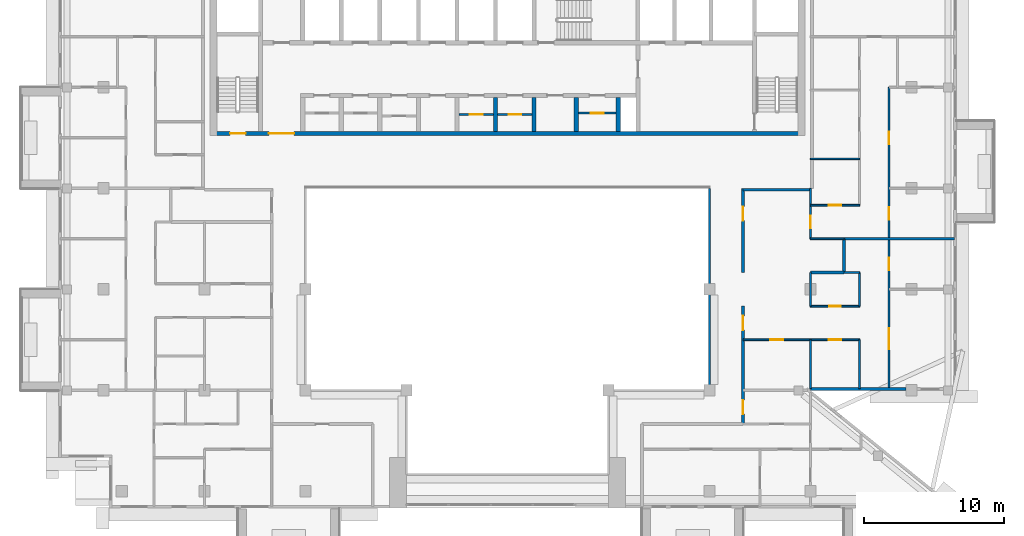
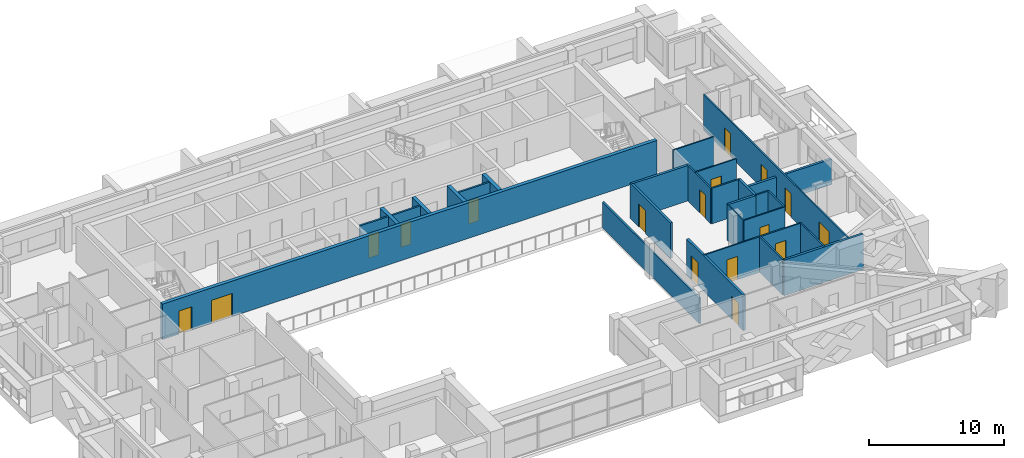
# One storey, part 9 of 19: 28 walls, 17 doors, 17 openings.
"""IFC4 building model written with IfcOpenShell, lengths in metres."""

from ifc_helpers import new_model, si_unit, direction, frame, frame_2d, origin, place, context, subcontext, project, spatial, rectangle, extrude, material, layer, layer_set, type_object, element, fill, save


model = new_model("IFC4")

# Units and contexts
model_context = context("Model", 3, precision=1e-05, world=origin(), true_north=direction((0.0, 1.0)))
body_context = subcontext(model_context, "Body", "Model", "MODEL_VIEW")
ifc_project = project(units=[si_unit("LENGTHUNIT", "METRE"), si_unit("AREAUNIT", "SQUARE_METRE"), si_unit("VOLUMEUNIT", "CUBIC_METRE"), si_unit("PLANEANGLEUNIT", "RADIAN"), si_unit("MASSUNIT", "GRAM", prefix="KILO")], contexts=[model_context])

# Site, building, storey
site_placement = place(None, origin())
site = spatial("IfcSite", under=ifc_project, at=site_placement, CompositionType="ELEMENT")
building_placement = place(site_placement, origin())
building = spatial("IfcBuilding", under=site, at=building_placement, Name="Saffron Iwan Residences", CompositionType="ELEMENT")
storey_placement = place(building_placement, frame((0.0, 0.0, 246.5)))
storey = spatial("IfcBuildingStorey", under=building, at=storey_placement, Name="L66", CompositionType="ELEMENT", Elevation=246.5)

# Wall
ifc_material_1 = material(Name="Fire-rated glazing", Category="glass")
ifc_layer_1 = layer(ifc_material_1, 0.14990234375)
ifc_layer_set_1 = layer_set([ifc_layer_1], Name="Fire-rated glazing")
wall_type_1 = type_object("IfcWallType", Name="Atrium glazed screen 150", PredefinedType="SOLIDWALL", material=ifc_layer_set_1)
wall_1_placement = place(storey_placement, frame((64.800048828125, 48.0, 0.0), z_axis=(0.0, 0.0, 1.0), x_axis=(0.0, 1.0, 0.0)))
element("IfcWall", 1, at=wall_1_placement, inside=storey, type_object=wall_type_1, Name="W-L66-SCREEN-v64.8-48", PredefinedType="SOLIDWALL", context=body_context, shape_type="SweptSolid", body=[
    extrude(rectangle(XDim=14.39990234375, YDim=0.14990234375, at=frame_2d((7.199951171875, 0.0))), origin(), (0.0, 0.0, 1.0), 2.320068359375),
])

# Wall, opening, door
ifc_material_2 = material(Name="Fire-rated plasterboard partition")
ifc_layer_2 = layer(ifc_material_2, 0.14990234375)
ifc_layer_set_2 = layer_set([ifc_layer_2], Name="Fire-rated plasterboard partition")
wall_type_2 = type_object("IfcWallType", Name="Core partition 150", PredefinedType="PARTITIONING", material=ifc_layer_set_2)
wall_2_placement = place(storey_placement, frame((46.949951171875, 67.66259765625, 0.0), z_axis=(0.0, 0.0, 1.0), x_axis=(1.0, 0.0, 0.0)))
wall_2 = element("IfcWall", 2, at=wall_2_placement, inside=storey, type_object=wall_type_2, Name="Core partition P04", PredefinedType="PARTITIONING", context=body_context, shape_type="SweptSolid", body=[
    extrude(rectangle(XDim=2.449951171875, YDim=0.14990234375, at=frame_2d((1.22509765625, 0.0))), origin(), (0.0, 0.0, 1.0), 3.219970703125),
])
opening_1_placement = place(wall_2_placement, frame((0.77490234375, 0.0, 0.0)))
opening_1 = element("IfcOpeningElement", 3, at=opening_1_placement, cuts=wall_2, Name="Opening SB", PredefinedType="OPENING", context=body_context, shape_type="SweptSolid", body=[
    extrude(rectangle(XDim=0.89990234375, YDim=2.10009765625, at=frame_2d((0.449951171875, 1.050048828125))), frame((0.0, 0.0849609375, 0.0), z_axis=(0.0, -1.0, 0.0), x_axis=(1.0, 0.0, 0.0)), (0.0, 0.0, 1.0), 0.169921875),
])
ifc_material_3 = material(Name="Steel fire door", Category="steel")
door_type_1 = type_object("IfcDoorType", Name="Store door 900", OperationType="NOTDEFINED", PredefinedType="DOOR", material=ifc_material_3)
door_1_placement = place(opening_1_placement, origin())
door_1 = element("IfcDoor", 4, at=door_1_placement, inside=storey, type_object=door_type_1, Name="Door Spares store", OperationType="SINGLE_SWING_RIGHT", OverallHeight=2.10009765625, OverallWidth=0.89990234375, PredefinedType="DOOR", context=body_context, shape_type="SweptSolid", body=[
    extrude(rectangle(XDim=0.89990234375, YDim=2.10009765625, at=frame_2d((0.449951171875, 1.050048828125))), frame((0.0, 0.02490234375, 0.0), z_axis=(0.0, -1.0, 0.0), x_axis=(1.0, 0.0, 0.0)), (0.0, 0.0, 1.0), 0.050048828125),
])
fill(opening_1, door_1)

wall_3_placement = place(storey_placement, frame((49.699951171875, 67.66259765625, 0.0), z_axis=(0.0, 0.0, 1.0), x_axis=(1.0, 0.0, 0.0)))
wall_3 = element("IfcWall", 5, at=wall_3_placement, inside=storey, type_object=wall_type_2, Name="Core partition P05", PredefinedType="PARTITIONING", context=body_context, shape_type="SweptSolid", body=[
    extrude(rectangle(XDim=2.449951171875, YDim=0.14990234375, at=frame_2d((1.22509765625, 0.0))), origin(), (0.0, 0.0, 1.0), 3.219970703125),
])
opening_2_placement = place(wall_3_placement, frame((0.77490234375, 0.0, 0.0)))
opening_2 = element("IfcOpeningElement", 6, at=opening_2_placement, cuts=wall_3, Name="Opening SB", PredefinedType="OPENING", context=body_context, shape_type="SweptSolid", body=[
    extrude(rectangle(XDim=0.89990234375, YDim=2.10009765625, at=frame_2d((0.449951171875, 1.050048828125))), frame((0.0, 0.0849609375, 0.0), z_axis=(0.0, -1.0, 0.0), x_axis=(1.0, 0.0, 0.0)), (0.0, 0.0, 1.0), 0.169921875),
])
door_2_placement = place(opening_2_placement, origin())
door_2 = element("IfcDoor", 7, at=door_2_placement, inside=storey, type_object=door_type_1, Name="Door Battery room", OperationType="SINGLE_SWING_LEFT", OverallHeight=2.10009765625, OverallWidth=0.89990234375, PredefinedType="DOOR", context=body_context, shape_type="SweptSolid", body=[
    extrude(rectangle(XDim=0.89990234375, YDim=2.10009765625, at=frame_2d((0.449951171875, 1.050048828125))), frame((0.0, 0.02490234375, 0.0), z_axis=(0.0, -1.0, 0.0), x_axis=(1.0, 0.0, 0.0)), (0.0, 0.0, 1.0), 0.050048828125),
])
fill(opening_2, door_2)

wall_4_placement = place(storey_placement, frame((55.449951171875, 67.759521484375, 0.0), z_axis=(0.0, 0.0, 1.0), x_axis=(1.0, 0.0, 0.0)))
wall_4 = element("IfcWall", 8, at=wall_4_placement, inside=storey, type_object=wall_type_2, Name="Core partition P06", PredefinedType="PARTITIONING", context=body_context, shape_type="SweptSolid", body=[
    extrude(rectangle(XDim=2.699951171875, YDim=0.14990234375, at=frame_2d((1.35009765625, 0.0))), origin(), (0.0, 0.0, 1.0), 3.219970703125),
])
opening_3_placement = place(wall_4_placement, frame((0.89990234375, 0.0, 0.0)))
opening_3 = element("IfcOpeningElement", 9, at=opening_3_placement, cuts=wall_4, Name="Opening SB", PredefinedType="OPENING", context=body_context, shape_type="SweptSolid", body=[
    extrude(rectangle(XDim=0.89990234375, YDim=2.10009765625, at=frame_2d((0.449951171875, 1.050048828125))), frame((0.0, 0.0849609375, 0.0), z_axis=(0.0, -1.0, 0.0), x_axis=(1.0, 0.0, 0.0)), (0.0, 0.0, 1.0), 0.169921875),
])
door_3_placement = place(opening_3_placement, origin())
door_3 = element("IfcDoor", 10, at=door_3_placement, inside=storey, type_object=door_type_1, Name="Door Equipment store", OperationType="SINGLE_SWING_LEFT", OverallHeight=2.10009765625, OverallWidth=0.89990234375, PredefinedType="DOOR", context=body_context, shape_type="SweptSolid", body=[
    extrude(rectangle(XDim=0.89990234375, YDim=2.10009765625, at=frame_2d((0.449951171875, 1.050048828125))), frame((0.0, 0.02490234375, 0.0), z_axis=(0.0, -1.0, 0.0), x_axis=(1.0, 0.0, 0.0)), (0.0, 0.0, 1.0), 0.050048828125),
])
fill(opening_3, door_3)

# Walls
ifc_material_4 = material(Name="Concrete C40/50", Category="concrete")
ifc_layer_3 = layer(ifc_material_4, 0.199951171875)
ifc_layer_set_3 = layer_set([ifc_layer_3], Name="Concrete C40/50")
wall_type_3 = type_object("IfcWallType", Name="EXTERNAL WALL 200", PredefinedType="SOLIDWALL", material=ifc_layer_set_3)
wall_5_placement = place(storey_placement, frame((71.987060546875, 48.10009765625, 0.0), z_axis=(0.0, 0.0, 1.0), x_axis=(1.0, 0.0, 0.0)))
element("IfcWall", 11, at=wall_5_placement, inside=storey, type_object=wall_type_3, Name="External wall L66 F1.0", PredefinedType="SOLIDWALL", context=body_context, shape_type="SweptSolid", body=[
    extrude(rectangle(XDim=6.81298828125, YDim=0.199951171875, at=frame_2d((3.406494140625, 0.0))), origin(), (0.0, 0.0, 1.0), 3.219970703125),
])
ifc_material_5 = material(Name="Fire-rated gypsum board wall")
ifc_layer_4 = layer(ifc_material_5, 0.199951171875)
ifc_layer_set_4 = layer_set([ifc_layer_4], Name="Fire-rated gypsum board wall")
wall_type_4 = type_object("IfcWallType", Name="Flat demising wall 200", PredefinedType="SOLIDWALL", material=ifc_layer_set_4)
wall_6_placement = place(storey_placement, frame((72.0, 56.39990234375, 0.0), z_axis=(0.0, 0.0, 1.0), x_axis=(1.0, 0.0, 0.0)))
element("IfcWall", 12, at=wall_6_placement, inside=storey, type_object=wall_type_4, Name="W-L66-DEMISE-h56.4-72", PredefinedType="SOLIDWALL", context=body_context, shape_type="SweptSolid", body=[
    extrude(rectangle(XDim=2.39990234375, YDim=0.199951171875, at=frame_2d((1.199951171875, 0.0))), origin(), (0.0, 0.0, 1.0), 3.219970703125),
])
wall_7_placement = place(storey_placement, frame((74.39990234375, 58.800048828125, 0.0), z_axis=(0.0, 0.0, 1.0), x_axis=(1.0, 0.0, 0.0)))
element("IfcWall", 13, at=wall_7_placement, inside=storey, type_object=wall_type_4, Name="W-L66-DEMISE-h58.8-74.4", PredefinedType="SOLIDWALL", context=body_context, shape_type="SweptSolid", body=[
    extrude(rectangle(XDim=7.875, YDim=0.199951171875, at=frame_2d((3.9375, 0.0))), origin(), (0.0, 0.0, 1.0), 2.320068359375),
])
wall_8_placement = place(storey_placement, frame((74.39990234375, 56.39990234375, 0.0), z_axis=(0.0, 0.0, 1.0), x_axis=(0.0, 1.0, 0.0)))
element("IfcWall", 14, at=wall_8_placement, inside=storey, type_object=wall_type_4, Name="W-L66-DEMISE-v74.4-56.4", PredefinedType="SOLIDWALL", context=body_context, shape_type="SweptSolid", body=[
    extrude(rectangle(XDim=2.400146484375, YDim=0.199951171875, at=frame_2d((1.2001953125, 0.0))), origin(), (0.0, 0.0, 1.0), 3.219970703125),
])

# Wall, openings, doors
ifc_material_6 = material(Name="Gypsum board partition")
ifc_layer_5 = layer(ifc_material_6, 0.1201171875)
ifc_layer_set_5 = layer_set([ifc_layer_5], Name="Gypsum board partition")
wall_type_5 = type_object("IfcWallType", Name="Flat partition 120", PredefinedType="PARTITIONING", material=ifc_layer_set_5)
wall_9_placement = place(storey_placement, frame((67.199951171875, 51.60009765625, 0.0), z_axis=(0.0, 0.0, 1.0), x_axis=(1.0, 0.0, 0.0)))
wall_9 = element("IfcWall", 15, at=wall_9_placement, inside=storey, type_object=wall_type_5, Name="W-L66-PART-h51.6-67.2", PredefinedType="PARTITIONING", context=body_context, shape_type="SweptSolid", body=[
    extrude(rectangle(XDim=8.300048828125, YDim=0.1201171875, at=frame_2d((4.14990234375, 0.0))), origin(), (0.0, 0.0, 1.0), 3.219970703125),
])
opening_4_placement = place(wall_9_placement, frame((6.10009765625, 0.0, 0.0)))
opening_4 = element("IfcOpeningElement", 16, at=opening_4_placement, cuts=wall_9, Name="Opening FD2", PredefinedType="OPENING", context=body_context, shape_type="SweptSolid", body=[
    extrude(rectangle(XDim=0.89990234375, YDim=2.10009765625, at=frame_2d((0.449951171875, 1.050048828125))), frame((0.0, 0.070068359375, 0.0), z_axis=(0.0, -1.0, 0.0), x_axis=(1.0, 0.0, 0.0)), (0.0, 0.0, 1.0), 0.14013671875),
])
opening_5_placement = place(wall_9_placement, frame((1.949951171875, 0.0, 0.0)))
opening_5 = element("IfcOpeningElement", 17, at=opening_5_placement, cuts=wall_9, Name="Opening FD2", PredefinedType="OPENING", context=body_context, shape_type="SweptSolid", body=[
    extrude(rectangle(XDim=0.89990234375, YDim=2.10009765625, at=frame_2d((0.449951171875, 1.050048828125))), frame((0.0, 0.070068359375, 0.0), z_axis=(0.0, -1.0, 0.0), x_axis=(1.0, 0.0, 0.0)), (0.0, 0.0, 1.0), 0.14013671875),
])
ifc_material_7 = material(Name="Timber door", Category="wood")
door_type_2 = type_object("IfcDoorType", Name="Flat door 900", OperationType="NOTDEFINED", PredefinedType="DOOR", material=ifc_material_7)
door_4_placement = place(opening_4_placement, origin())
door_4 = element("IfcDoor", 18, at=door_4_placement, inside=storey, type_object=door_type_2, Name="Door L66-020", OperationType="SINGLE_SWING_LEFT", OverallHeight=2.10009765625, OverallWidth=0.89990234375, PredefinedType="DOOR", context=body_context, shape_type="SweptSolid", body=[
    extrude(rectangle(XDim=0.89990234375, YDim=2.10009765625, at=frame_2d((0.449951171875, 1.050048828125))), frame((0.0, 0.02490234375, 0.0), z_axis=(0.0, -1.0, 0.0), x_axis=(1.0, 0.0, 0.0)), (0.0, 0.0, 1.0), 0.050048828125),
])
fill(opening_4, door_4)
door_5_placement = place(opening_5_placement, origin())
door_5 = element("IfcDoor", 19, at=door_5_placement, inside=storey, type_object=door_type_2, Name="Door L66-022", OperationType="SINGLE_SWING_RIGHT", OverallHeight=2.10009765625, OverallWidth=0.89990234375, PredefinedType="DOOR", context=body_context, shape_type="SweptSolid", body=[
    extrude(rectangle(XDim=0.89990234375, YDim=2.10009765625, at=frame_2d((0.449951171875, 1.050048828125))), frame((0.0, 0.02490234375, 0.0), z_axis=(0.0, -1.0, 0.0), x_axis=(1.0, 0.0, 0.0)), (0.0, 0.0, 1.0), 0.050048828125),
])
fill(opening_5, door_5)

# Wall, opening, door
wall_10_placement = place(storey_placement, frame((72.0, 54.0, 0.0), z_axis=(0.0, 0.0, 1.0), x_axis=(1.0, 0.0, 0.0)))
wall_10 = element("IfcWall", 20, at=wall_10_placement, inside=storey, type_object=wall_type_5, Name="W-L66-PART-h54-72", PredefinedType="PARTITIONING", context=body_context, shape_type="SweptSolid", body=[
    extrude(rectangle(XDim=3.5, YDim=0.1201171875, at=frame_2d((1.75, 0.0))), origin(), (0.0, 0.0, 1.0), 3.219970703125),
])
opening_6_placement = place(wall_10_placement, frame((1.35009765625, 0.0, 0.0)))
opening_6 = element("IfcOpeningElement", 21, at=opening_6_placement, cuts=wall_10, Name="Opening FD3", PredefinedType="OPENING", context=body_context, shape_type="SweptSolid", body=[
    extrude(rectangle(XDim=0.800048828125, YDim=2.10009765625, at=frame_2d((0.39990234375, 1.050048828125))), frame((0.0, 0.070068359375, 0.0), z_axis=(0.0, -1.0, 0.0), x_axis=(1.0, 0.0, 0.0)), (0.0, 0.0, 1.0), 0.14013671875),
])
door_type_3 = type_object("IfcDoorType", Name="Bathroom door 800", OperationType="NOTDEFINED", PredefinedType="DOOR", material=ifc_material_7)
door_6_placement = place(opening_6_placement, origin())
door_6 = element("IfcDoor", 22, at=door_6_placement, inside=storey, type_object=door_type_3, Name="Door L66-021", OperationType="SINGLE_SWING_LEFT", OverallHeight=2.10009765625, OverallWidth=0.800048828125, PredefinedType="DOOR", context=body_context, shape_type="SweptSolid", body=[
    extrude(rectangle(XDim=0.800048828125, YDim=2.10009765625, at=frame_2d((0.39990234375, 1.050048828125))), frame((0.0, 0.02490234375, 0.0), z_axis=(0.0, -1.0, 0.0), x_axis=(1.0, 0.0, 0.0)), (0.0, 0.0, 1.0), 0.050048828125),
])
fill(opening_6, door_6)

# Walls
wall_11_placement = place(storey_placement, frame((74.39990234375, 56.39990234375, 0.0), z_axis=(0.0, 0.0, 1.0), x_axis=(1.0, 0.0, 0.0)))
element("IfcWall", 23, at=wall_11_placement, inside=storey, type_object=wall_type_5, Name="W-L66-PART-h56.4-74.4", PredefinedType="PARTITIONING", context=body_context, shape_type="SweptSolid", body=[
    extrude(rectangle(XDim=1.10009765625, YDim=0.1201171875, at=frame_2d((0.550048828125, 0.0))), origin(), (0.0, 0.0, 1.0), 3.219970703125),
])
wall_12_placement = place(storey_placement, frame((72.0, 58.800048828125, 0.0), z_axis=(0.0, 0.0, 1.0), x_axis=(1.0, 0.0, 0.0)))
element("IfcWall", 24, at=wall_12_placement, inside=storey, type_object=wall_type_5, Name="W-L66-PART-h58.8-72", PredefinedType="PARTITIONING", context=body_context, shape_type="SweptSolid", body=[
    extrude(rectangle(XDim=2.39990234375, YDim=0.1201171875, at=frame_2d((1.199951171875, 0.0))), origin(), (0.0, 0.0, 1.0), 3.219970703125),
])

# Wall, opening, door
wall_13_placement = place(storey_placement, frame((72.0, 61.199951171875, 0.0), z_axis=(0.0, 0.0, 1.0), x_axis=(1.0, 0.0, 0.0)))
wall_13 = element("IfcWall", 25, at=wall_13_placement, inside=storey, type_object=wall_type_5, Name="W-L66-PART-h61.2-72", PredefinedType="PARTITIONING", context=body_context, shape_type="SweptSolid", body=[
    extrude(rectangle(XDim=3.5, YDim=0.1201171875, at=frame_2d((1.75, 0.0))), origin(), (0.0, 0.0, 1.0), 3.219970703125),
])
opening_7_placement = place(wall_13_placement, frame((1.300048828125, 0.0, 0.0)))
opening_7 = element("IfcOpeningElement", 26, at=opening_7_placement, cuts=wall_13, Name="Opening FD2", PredefinedType="OPENING", context=body_context, shape_type="SweptSolid", body=[
    extrude(rectangle(XDim=0.89990234375, YDim=2.10009765625, at=frame_2d((0.449951171875, 1.050048828125))), frame((0.0, 0.070068359375, 0.0), z_axis=(0.0, -1.0, 0.0), x_axis=(1.0, 0.0, 0.0)), (0.0, 0.0, 1.0), 0.14013671875),
])
door_7_placement = place(opening_7_placement, origin())
door_7 = element("IfcDoor", 27, at=door_7_placement, inside=storey, type_object=door_type_2, Name="Door L66-037", OperationType="SINGLE_SWING_RIGHT", OverallHeight=2.10009765625, OverallWidth=0.89990234375, PredefinedType="DOOR", context=body_context, shape_type="SweptSolid", body=[
    extrude(rectangle(XDim=0.89990234375, YDim=2.10009765625, at=frame_2d((0.449951171875, 1.050048828125))), frame((0.0, 0.02490234375, 0.0), z_axis=(0.0, -1.0, 0.0), x_axis=(1.0, 0.0, 0.0)), (0.0, 0.0, 1.0), 0.050048828125),
])
fill(opening_7, door_7)

# Walls
wall_14_placement = place(storey_placement, frame((72.0, 64.5, 0.0), z_axis=(0.0, 0.0, 1.0), x_axis=(1.0, 0.0, 0.0)))
element("IfcWall", 28, at=wall_14_placement, inside=storey, type_object=wall_type_5, Name="W-L66-PART-h64.5-72", PredefinedType="PARTITIONING", context=body_context, shape_type="SweptSolid", body=[
    extrude(rectangle(XDim=3.5, YDim=0.1201171875, at=frame_2d((1.75, 0.0))), origin(), (0.0, 0.0, 1.0), 3.219970703125),
])
wall_15_placement = place(storey_placement, frame((72.0, 48.125, 0.0), z_axis=(0.0, 0.0, 1.0), x_axis=(0.0, 1.0, 0.0)))
element("IfcWall", 29, at=wall_15_placement, inside=storey, type_object=wall_type_5, Name="W-L66-PART-v72-48.125", PredefinedType="PARTITIONING", context=body_context, shape_type="SweptSolid", body=[
    extrude(rectangle(XDim=3.47509765625, YDim=0.1201171875, at=frame_2d((1.737548828125, 0.0))), origin(), (0.0, 0.0, 1.0), 3.219970703125),
])
wall_16_placement = place(storey_placement, frame((72.0, 54.0, 0.0), z_axis=(0.0, 0.0, 1.0), x_axis=(0.0, 1.0, 0.0)))
element("IfcWall", 30, at=wall_16_placement, inside=storey, type_object=wall_type_5, Name="W-L66-PART-v72-54", PredefinedType="PARTITIONING", context=body_context, shape_type="SweptSolid", body=[
    extrude(rectangle(XDim=2.39990234375, YDim=0.1201171875, at=frame_2d((1.199951171875, 0.0))), origin(), (0.0, 0.0, 1.0), 3.219970703125),
])

# Wall, opening, door
wall_17_placement = place(storey_placement, frame((72.0, 58.800048828125, 0.0), z_axis=(0.0, 0.0, 1.0), x_axis=(0.0, 1.0, 0.0)))
wall_17 = element("IfcWall", 31, at=wall_17_placement, inside=storey, type_object=wall_type_5, Name="W-L66-PART-v72-58.8", PredefinedType="PARTITIONING", context=body_context, shape_type="SweptSolid", body=[
    extrude(rectangle(XDim=3.599853515625, YDim=0.1201171875, at=frame_2d((1.7998046875, 0.0))), origin(), (0.0, 0.0, 1.0), 3.219970703125),
])
opening_8_placement = place(wall_17_placement, frame((0.75, 0.0, 0.0)))
opening_8 = element("IfcOpeningElement", 32, at=opening_8_placement, cuts=wall_17, Name="Opening FD2", PredefinedType="OPENING", context=body_context, shape_type="SweptSolid", body=[
    extrude(rectangle(XDim=0.89990234375, YDim=2.10009765625, at=frame_2d((0.449951171875, 1.050048828125))), frame((0.0, 0.070068359375, 0.0), z_axis=(0.0, -1.0, 0.0), x_axis=(1.0, 0.0, 0.0)), (0.0, 0.0, 1.0), 0.14013671875),
])
door_8_placement = place(opening_8_placement, origin())
door_8 = element("IfcDoor", 33, at=door_8_placement, inside=storey, type_object=door_type_2, Name="Door L66-031", OperationType="SINGLE_SWING_RIGHT", OverallHeight=2.10009765625, OverallWidth=0.89990234375, PredefinedType="DOOR", context=body_context, shape_type="SweptSolid", body=[
    extrude(rectangle(XDim=0.89990234375, YDim=2.10009765625, at=frame_2d((0.449951171875, 1.050048828125))), frame((0.0, 0.02490234375, 0.0), z_axis=(0.0, -1.0, 0.0), x_axis=(1.0, 0.0, 0.0)), (0.0, 0.0, 1.0), 0.050048828125),
])
fill(opening_8, door_8)

# Walls
wall_18_placement = place(storey_placement, frame((75.5, 48.125, 0.0), z_axis=(0.0, 0.0, 1.0), x_axis=(0.0, 1.0, 0.0)))
element("IfcWall", 34, at=wall_18_placement, inside=storey, type_object=wall_type_5, Name="W-L66-PART-v75.5-48.125", PredefinedType="PARTITIONING", context=body_context, shape_type="SweptSolid", body=[
    extrude(rectangle(XDim=3.47509765625, YDim=0.1201171875, at=frame_2d((1.737548828125, 0.0))), origin(), (0.0, 0.0, 1.0), 3.219970703125),
])
wall_19_placement = place(storey_placement, frame((75.5, 54.0, 0.0), z_axis=(0.0, 0.0, 1.0), x_axis=(0.0, 1.0, 0.0)))
element("IfcWall", 35, at=wall_19_placement, inside=storey, type_object=wall_type_5, Name="W-L66-PART-v75.5-54", PredefinedType="PARTITIONING", context=body_context, shape_type="SweptSolid", body=[
    extrude(rectangle(XDim=2.39990234375, YDim=0.1201171875, at=frame_2d((1.199951171875, 0.0))), origin(), (0.0, 0.0, 1.0), 3.219970703125),
])

# Wall, openings, doors
wall_20_placement = place(storey_placement, frame((77.60009765625, 48.125, 0.0), z_axis=(0.0, 0.0, 1.0), x_axis=(0.0, 1.0, 0.0)))
wall_20 = element("IfcWall", 36, at=wall_20_placement, inside=storey, type_object=wall_type_5, Name="W-L66-PART-v77.6-48.125", PredefinedType="PARTITIONING", context=body_context, shape_type="SweptSolid", body=[
    extrude(rectangle(XDim=21.47509765625, YDim=0.1201171875, at=frame_2d((10.737548828125, 0.0))), origin(), (0.0, 0.0, 1.0), 3.219970703125),
])
opening_9_placement = place(wall_20_placement, frame((2.78759765625, 0.0, 0.0)))
opening_9 = element("IfcOpeningElement", 37, at=opening_9_placement, cuts=wall_20, Name="Opening FD4", PredefinedType="OPENING", context=body_context, shape_type="SweptSolid", body=[
    extrude(rectangle(XDim=1.5, YDim=2.10009765625, at=frame_2d((0.75, 1.050048828125))), frame((0.0, 0.070068359375, 0.0), z_axis=(0.0, -1.0, 0.0), x_axis=(1.0, 0.0, 0.0)), (0.0, 0.0, 1.0), 0.14013671875),
])
opening_10_placement = place(wall_20_placement, frame((8.425048828125, 0.0, 0.0)))
opening_10 = element("IfcOpeningElement", 38, at=opening_10_placement, cuts=wall_20, Name="Opening FD2", PredefinedType="OPENING", context=body_context, shape_type="SweptSolid", body=[
    extrude(rectangle(XDim=0.89990234375, YDim=2.10009765625, at=frame_2d((0.449951171875, 1.050048828125))), frame((0.0, 0.070068359375, 0.0), z_axis=(0.0, -1.0, 0.0), x_axis=(1.0, 0.0, 0.0)), (0.0, 0.0, 1.0), 0.14013671875),
])
opening_11_placement = place(wall_20_placement, frame((12.02490234375, 0.0, 0.0)))
opening_11 = element("IfcOpeningElement", 39, at=opening_11_placement, cuts=wall_20, Name="Opening FD2", PredefinedType="OPENING", context=body_context, shape_type="SweptSolid", body=[
    extrude(rectangle(XDim=0.89990234375, YDim=2.10009765625, at=frame_2d((0.449951171875, 1.050048828125))), frame((0.0, 0.070068359375, 0.0), z_axis=(0.0, -1.0, 0.0), x_axis=(1.0, 0.0, 0.0)), (0.0, 0.0, 1.0), 0.14013671875),
])
opening_12_placement = place(wall_20_placement, frame((17.425048828125, 0.0, 0.0)))
opening_12 = element("IfcOpeningElement", 40, at=opening_12_placement, cuts=wall_20, Name="Opening FD2", PredefinedType="OPENING", context=body_context, shape_type="SweptSolid", body=[
    extrude(rectangle(XDim=0.89990234375, YDim=2.10009765625, at=frame_2d((0.449951171875, 1.050048828125))), frame((0.0, 0.070068359375, 0.0), z_axis=(0.0, -1.0, 0.0), x_axis=(1.0, 0.0, 0.0)), (0.0, 0.0, 1.0), 0.14013671875),
])
door_type_4 = type_object("IfcDoorType", Name="Double door 1500", OperationType="NOTDEFINED", PredefinedType="DOOR", material=ifc_material_7)
door_9_placement = place(opening_9_placement, origin())
door_9 = element("IfcDoor", 41, at=door_9_placement, inside=storey, type_object=door_type_4, Name="Door L66-018", OperationType="SINGLE_SWING_LEFT", OverallHeight=2.10009765625, OverallWidth=1.5, PredefinedType="DOOR", context=body_context, shape_type="SweptSolid", body=[
    extrude(rectangle(XDim=1.5, YDim=2.10009765625, at=frame_2d((0.75, 1.050048828125))), frame((0.0, 0.02490234375, 0.0), z_axis=(0.0, -1.0, 0.0), x_axis=(1.0, 0.0, 0.0)), (0.0, 0.0, 1.0), 0.050048828125),
])
fill(opening_9, door_9)
door_10_placement = place(opening_10_placement, origin())
door_10 = element("IfcDoor", 42, at=door_10_placement, inside=storey, type_object=door_type_2, Name="Door L66-019", OperationType="SINGLE_SWING_RIGHT", OverallHeight=2.10009765625, OverallWidth=0.89990234375, PredefinedType="DOOR", context=body_context, shape_type="SweptSolid", body=[
    extrude(rectangle(XDim=0.89990234375, YDim=2.10009765625, at=frame_2d((0.449951171875, 1.050048828125))), frame((0.0, 0.02490234375, 0.0), z_axis=(0.0, -1.0, 0.0), x_axis=(1.0, 0.0, 0.0)), (0.0, 0.0, 1.0), 0.050048828125),
])
fill(opening_10, door_10)
door_11_placement = place(opening_11_placement, origin())
door_11 = element("IfcDoor", 43, at=door_11_placement, inside=storey, type_object=door_type_2, Name="Door L66-033", OperationType="SINGLE_SWING_LEFT", OverallHeight=2.10009765625, OverallWidth=0.89990234375, PredefinedType="DOOR", context=body_context, shape_type="SweptSolid", body=[
    extrude(rectangle(XDim=0.89990234375, YDim=2.10009765625, at=frame_2d((0.449951171875, 1.050048828125))), frame((0.0, 0.02490234375, 0.0), z_axis=(0.0, -1.0, 0.0), x_axis=(1.0, 0.0, 0.0)), (0.0, 0.0, 1.0), 0.050048828125),
])
fill(opening_11, door_11)
door_12_placement = place(opening_12_placement, origin())
door_12 = element("IfcDoor", 44, at=door_12_placement, inside=storey, type_object=door_type_2, Name="Door L66-034", OperationType="SINGLE_SWING_RIGHT", OverallHeight=2.10009765625, OverallWidth=0.89990234375, PredefinedType="DOOR", context=body_context, shape_type="SweptSolid", body=[
    extrude(rectangle(XDim=0.89990234375, YDim=2.10009765625, at=frame_2d((0.449951171875, 1.050048828125))), frame((0.0, 0.02490234375, 0.0), z_axis=(0.0, -1.0, 0.0), x_axis=(1.0, 0.0, 0.0)), (0.0, 0.0, 1.0), 0.050048828125),
])
fill(opening_12, door_12)

# Wall
ifc_layer_6 = layer(ifc_material_5, 0.199951171875)
ifc_layer_set_6 = layer_set([ifc_layer_6], Name="Fire-rated gypsum board wall")
wall_type_6 = type_object("IfcWallType", Name="Gallery wall 200", PredefinedType="SOLIDWALL", material=ifc_layer_set_6)
wall_21_placement = place(storey_placement, frame((67.199951171875, 62.300048828125, 0.0), z_axis=(0.0, 0.0, 1.0), x_axis=(1.0, 0.0, 0.0)))
element("IfcWall", 45, at=wall_21_placement, inside=storey, type_object=wall_type_6, Name="W-L66-CORR-h62.4-67.2", PredefinedType="SOLIDWALL", context=body_context, shape_type="SweptSolid", body=[
    extrude(rectangle(XDim=4.800048828125, YDim=0.199951171875, at=frame_2d((2.39990234375, 0.0))), origin(), (0.0, 0.0, 1.0), 3.219970703125),
])

# Wall, openings, doors
wall_22_placement = place(storey_placement, frame((67.199951171875, 45.60009765625, 0.0), z_axis=(0.0, 0.0, 1.0), x_axis=(0.0, 1.0, 0.0)))
wall_22 = element("IfcWall", 46, at=wall_22_placement, inside=storey, type_object=wall_type_6, Name="W-L66-CORR-v67.2-45.6", PredefinedType="SOLIDWALL", context=body_context, shape_type="SweptSolid", body=[
    extrude(rectangle(XDim=8.39990234375, YDim=0.199951171875, at=frame_2d((4.199951171875, 0.0))), origin(), (0.0, 0.0, 1.0), 3.219970703125),
])
opening_13_placement = place(wall_22_placement, frame((6.699951171875, 0.0, 0.0)))
opening_13 = element("IfcOpeningElement", 47, at=opening_13_placement, cuts=wall_22, Name="Opening FD1", PredefinedType="OPENING", context=body_context, shape_type="SweptSolid", body=[
    extrude(rectangle(XDim=1.0, YDim=2.10009765625, at=frame_2d((0.5, 1.050048828125))), frame((0.0, 0.10986328125, 0.0), z_axis=(0.0, -1.0, 0.0), x_axis=(1.0, 0.0, 0.0)), (0.0, 0.0, 1.0), 0.219970703125),
])
opening_14_placement = place(wall_22_placement, frame((0.699951171875, 0.0, 0.0)))
opening_14 = element("IfcOpeningElement", 48, at=opening_14_placement, cuts=wall_22, Name="Opening FD5", PredefinedType="OPENING", context=body_context, shape_type="SweptSolid", body=[
    extrude(rectangle(XDim=1.0, YDim=2.10009765625, at=frame_2d((0.5, 1.050048828125))), frame((0.0, 0.10986328125, 0.0), z_axis=(0.0, -1.0, 0.0), x_axis=(1.0, 0.0, 0.0)), (0.0, 0.0, 1.0), 0.219970703125),
])
ifc_material_8 = material(Name="Fire-rated timber door", Category="wood")
door_type_5 = type_object("IfcDoorType", Name="FD30S flat entrance door 1000", OperationType="NOTDEFINED", PredefinedType="DOOR", material=ifc_material_8)
door_13_placement = place(opening_13_placement, origin())
door_13 = element("IfcDoor", 49, at=door_13_placement, inside=storey, type_object=door_type_5, Name="Door L66-017", OperationType="SINGLE_SWING_LEFT", OverallHeight=2.10009765625, OverallWidth=1.0, PredefinedType="DOOR", context=body_context, shape_type="SweptSolid", body=[
    extrude(rectangle(XDim=1.0, YDim=2.10009765625, at=frame_2d((0.5, 1.050048828125))), frame((0.0, 0.02490234375, 0.0), z_axis=(0.0, -1.0, 0.0), x_axis=(1.0, 0.0, 0.0)), (0.0, 0.0, 1.0), 0.050048828125),
])
fill(opening_13, door_13)
door_type_6 = type_object("IfcDoorType", Name="Lobby door 1000", OperationType="NOTDEFINED", PredefinedType="DOOR", material=ifc_material_8)
door_14_placement = place(opening_14_placement, origin())
door_14 = element("IfcDoor", 50, at=door_14_placement, inside=storey, type_object=door_type_6, Name="Door L66-042", OperationType="SINGLE_SWING_LEFT", OverallHeight=2.10009765625, OverallWidth=1.0, PredefinedType="DOOR", context=body_context, shape_type="SweptSolid", body=[
    extrude(rectangle(XDim=1.0, YDim=2.10009765625, at=frame_2d((0.5, 1.050048828125))), frame((0.0, 0.02490234375, 0.0), z_axis=(0.0, -1.0, 0.0), x_axis=(1.0, 0.0, 0.0)), (0.0, 0.0, 1.0), 0.050048828125),
])
fill(opening_14, door_14)

# Wall, opening, door
wall_23_placement = place(storey_placement, frame((67.199951171875, 56.39990234375, 0.0), z_axis=(0.0, 0.0, 1.0), x_axis=(0.0, 1.0, 0.0)))
wall_23 = element("IfcWall", 51, at=wall_23_placement, inside=storey, type_object=wall_type_6, Name="W-L66-CORR-v67.2-56.4", PredefinedType="SOLIDWALL", context=body_context, shape_type="SweptSolid", body=[
    extrude(rectangle(XDim=6.0, YDim=0.199951171875, at=frame_2d((3.0, 0.0))), origin(), (0.0, 0.0, 1.0), 3.219970703125),
])
opening_15_placement = place(wall_23_placement, frame((3.699951171875, 0.0, 0.0)))
opening_15 = element("IfcOpeningElement", 52, at=opening_15_placement, cuts=wall_23, Name="Opening FD5", PredefinedType="OPENING", context=body_context, shape_type="SweptSolid", body=[
    extrude(rectangle(XDim=1.0, YDim=2.10009765625, at=frame_2d((0.5, 1.050048828125))), frame((0.0, 0.10986328125, 0.0), z_axis=(0.0, -1.0, 0.0), x_axis=(1.0, 0.0, 0.0)), (0.0, 0.0, 1.0), 0.219970703125),
])
door_15_placement = place(opening_15_placement, origin())
door_15 = element("IfcDoor", 53, at=door_15_placement, inside=storey, type_object=door_type_6, Name="Door L66-032", OperationType="SINGLE_SWING_LEFT", OverallHeight=2.10009765625, OverallWidth=1.0, PredefinedType="DOOR", context=body_context, shape_type="SweptSolid", body=[
    extrude(rectangle(XDim=1.0, YDim=2.10009765625, at=frame_2d((0.5, 1.050048828125))), frame((0.0, 0.02490234375, 0.0), z_axis=(0.0, -1.0, 0.0), x_axis=(1.0, 0.0, 0.0)), (0.0, 0.0, 1.0), 0.050048828125),
])
fill(opening_15, door_15)

# Wall, openings, doors
ifc_layer_7 = layer(ifc_material_4, 0.300048828125)
ifc_layer_set_7 = layer_set([ifc_layer_7], Name="Concrete C40/50")
wall_type_7 = type_object("IfcWallType", Name="WALL CORE 300 C40/50 3220 HIGH", PredefinedType="SHEAR", material=ifc_layer_set_7)
wall_24_placement = place(storey_placement, frame((29.199951171875, 66.300048828125, 0.0), z_axis=(0.0, 0.0, 1.0), x_axis=(1.0, 0.0, 0.0)))
wall_24 = element("IfcWall", 54, at=wall_24_placement, inside=storey, type_object=wall_type_7, Name="Core wall", PredefinedType="SHEAR", context=body_context, shape_type="SweptSolid", body=[
    extrude(rectangle(XDim=42.400146484375, YDim=0.300048828125, at=frame_2d((21.2001953125, 0.0))), origin(), (0.0, 0.0, 1.0), 3.219970703125),
])
opening_16_placement = place(wall_24_placement, frame((1.425048828125, 0.0, 0.0)))
opening_16 = element("IfcOpeningElement", 55, at=opening_16_placement, cuts=wall_24, Name="Opening SD", PredefinedType="OPENING", context=body_context, shape_type="SweptSolid", body=[
    extrude(rectangle(XDim=1.10009765625, YDim=2.10009765625, at=frame_2d((0.550048828125, 1.050048828125))), frame((0.0, 0.16015625, 0.0), z_axis=(0.0, -1.0, 0.0), x_axis=(1.0, 0.0, 0.0)), (0.0, 0.0, 1.0), 0.320068359375),
])
opening_17_placement = place(wall_24_placement, frame((4.199951171875, 0.0, 0.0)))
opening_17 = element("IfcOpeningElement", 56, at=opening_17_placement, cuts=wall_24, Name="Opening DD", PredefinedType="OPENING", context=body_context, shape_type="SweptSolid", body=[
    extrude(rectangle(XDim=1.800048828125, YDim=2.10009765625, at=frame_2d((0.89990234375, 1.050048828125))), frame((0.0, 0.16015625, 0.0), z_axis=(0.0, -1.0, 0.0), x_axis=(1.0, 0.0, 0.0)), (0.0, 0.0, 1.0), 0.320068359375),
])
door_type_7 = type_object("IfcDoorType", Name="Lobby double door 1800", OperationType="DOUBLE_DOOR_SINGLE_SWING", PredefinedType="DOOR", material=ifc_material_3)
door_16_placement = place(opening_17_placement, origin())
door_16 = element("IfcDoor", 57, at=door_16_placement, inside=storey, type_object=door_type_7, Name="Lobby doors", OperationType="DOUBLE_DOOR_SINGLE_SWING", OverallHeight=2.10009765625, OverallWidth=1.800048828125, PredefinedType="DOOR", context=body_context, shape_type="SweptSolid", body=[
    extrude(rectangle(XDim=1.800048828125, YDim=2.10009765625, at=frame_2d((0.89990234375, 1.050048828125))), frame((0.0, 0.02490234375, 0.0), z_axis=(0.0, -1.0, 0.0), x_axis=(1.0, 0.0, 0.0)), (0.0, 0.0, 1.0), 0.050048828125),
])
fill(opening_17, door_16)
door_type_8 = type_object("IfcDoorType", Name="Stair door 1100", OperationType="NOTDEFINED", PredefinedType="DOOR", material=ifc_material_3)
door_17_placement = place(opening_16_placement, origin())
door_17 = element("IfcDoor", 58, at=door_17_placement, inside=storey, type_object=door_type_8, Name="Stair door ST-W", OperationType="SINGLE_SWING_LEFT", OverallHeight=2.10009765625, OverallWidth=1.10009765625, PredefinedType="DOOR", context=body_context, shape_type="SweptSolid", body=[
    extrude(rectangle(XDim=1.10009765625, YDim=2.10009765625, at=frame_2d((0.550048828125, 1.050048828125))), frame((0.0, 0.02490234375, 0.0), z_axis=(0.0, -1.0, 0.0), x_axis=(1.0, 0.0, 0.0)), (0.0, 0.0, 1.0), 0.050048828125),
])
fill(opening_16, door_17)

# Walls
for number, where, z_axis, x_axis, name in (
    (59, (49.550048828125, 66.449951171875, 0.0), (0.0, 0.0, 1.0), (0.0, 1.0, 0.0), "Core wall"),
    (60, (52.300048828125, 66.449951171875, 0.0), (0.0, 0.0, 1.0), (0.0, 1.0, 0.0), "Core wall"),
    (61, (55.300048828125, 66.449951171875, 0.0), (0.0, 0.0, 1.0), (0.0, 1.0, 0.0), "Core wall"),
    (62, (58.300048828125, 66.449951171875, 0.0), (0.0, 0.0, 1.0), (0.0, 1.0, 0.0), "Core wall"),
):
    element("IfcWall", number, at=place(storey_placement, frame(where, z_axis=z_axis, x_axis=x_axis)), inside=storey, type_object=wall_type_7, Name=name, PredefinedType="SHEAR", context=body_context, shape_type="SweptSolid", body=[
        extrude(rectangle(XDim=2.425048828125, YDim=0.300048828125, at=frame_2d((1.21240234375, 0.0))), origin(), (0.0, 0.0, 1.0), 3.219970703125),
    ])

save(model, "model.ifc")
